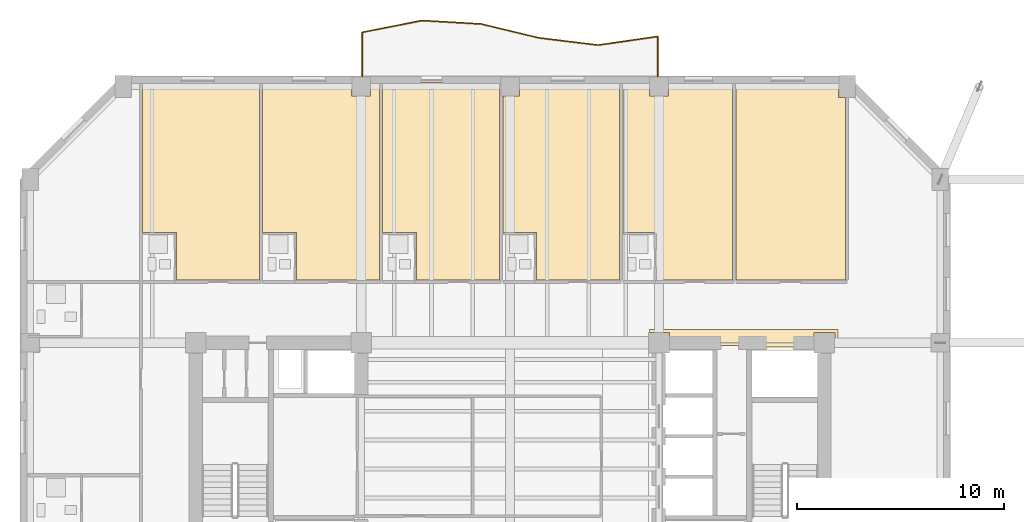
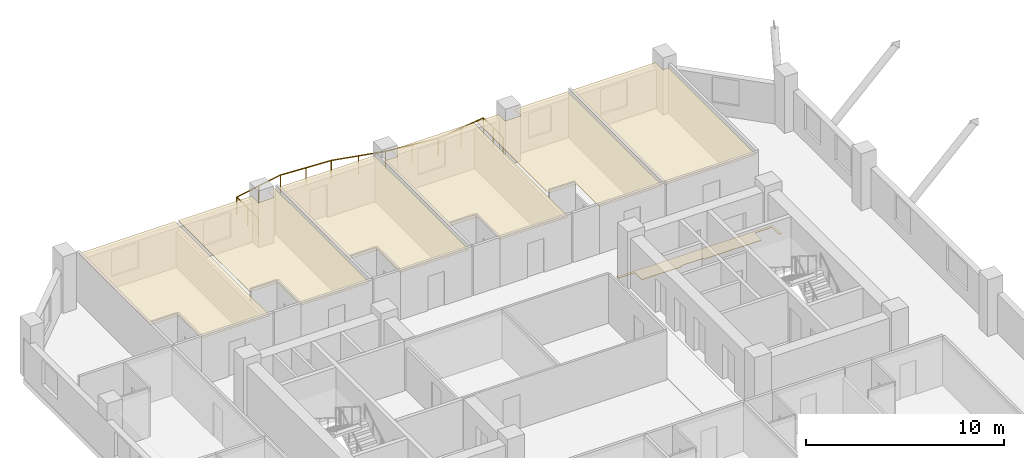
# One storey, part 13 of 14: 7 coverings, 1 railing.
"""IFC4 building model written with IfcOpenShell, lengths in metres."""

from ifc_helpers import new_model, si_unit, direction, frame, origin, origin_2d, place, context, subcontext, project, spatial, polyline, circle, outline, extrude, material, layer, layer_set, type_object, element, save


model = new_model("IFC4")

# Units and contexts
model_context = context("Model", 3, precision=1e-05, world=origin(), true_north=direction((0.0, 1.0)))
body_context = subcontext(model_context, "Body", "Model", "MODEL_VIEW")
ifc_project = project(units=[si_unit("LENGTHUNIT", "METRE"), si_unit("AREAUNIT", "SQUARE_METRE"), si_unit("VOLUMEUNIT", "CUBIC_METRE"), si_unit("PLANEANGLEUNIT", "RADIAN"), si_unit("MASSUNIT", "GRAM", prefix="KILO")], contexts=[model_context])

# Site, building, storey
site_placement = place(None, origin())
site = spatial("IfcSite", under=ifc_project, at=site_placement, CompositionType="ELEMENT")
building_placement = place(site_placement, origin())
building = spatial("IfcBuilding", under=site, at=building_placement, Name="Kranthara Brick Stack", CompositionType="ELEMENT")
storey_placement = place(building_placement, frame((0.0, 0.0, 137.800048828125)))
storey = spatial("IfcBuildingStorey", under=building, at=storey_placement, Name="L34", CompositionType="ELEMENT", Elevation=137.800048828125)

# Coverings
ifc_material_1 = material(Name="Perforated mineral-fibre acoustic ceiling tile", Category="other")
ifc_layer_1 = layer(ifc_material_1, 0.02490234375)
ifc_layer_set_1 = layer_set([ifc_layer_1], Name="Perforated mineral-fibre acoustic ceiling tile")
covering_type_1 = type_object("IfcCoveringType", Name="COV-CEIL-ACOUSTIC", PredefinedType="CEILING", material=ifc_layer_set_1)
covering_1_placement = place(storey_placement, frame((0.0, 0.0, 2.780029296875)))
element("IfcCovering", 1, at=covering_1_placement, inside=storey, type_object=covering_type_1, Name="L34 Room L34-07 Hotel Guest Room Acoustic Ceiling", PredefinedType="CEILING", context=body_context, shape_type="SweptSolid", body=[
    extrude(outline(polyline([(11.860107421875, 36.6298828125), (15.8759765625, 36.6298828125), (15.8759765625, 46.199951171875), (10.22998046875, 46.199951171875), (10.22998046875, 38.93994140625), (11.860107421875, 38.93994140625), (11.860107421875, 36.6298828125)])), origin(), (0.0, 0.0, 1.0), 0.02490234375),
])
covering_2_placement = place(storey_placement, frame((0.0, 0.0, 2.780029296875)))
element("IfcCovering", 2, at=covering_2_placement, inside=storey, type_object=covering_type_1, Name="L34 Room L34-08 Hotel Guest Room Acoustic Ceiling", PredefinedType="CEILING", context=body_context, shape_type="SweptSolid", body=[
    extrude(outline(polyline([(21.680908203125, 46.199951171875), (21.680908203125, 36.6298828125), (17.666015625, 36.6298828125), (17.666015625, 38.93994140625), (16.035888671875, 38.93994140625), (16.035888671875, 46.199951171875), (20.340087890625, 46.199951171875), (20.340087890625, 45.5400390625), (21.260009765625, 45.5400390625), (21.260009765625, 46.199951171875), (21.680908203125, 46.199951171875)])), origin(), (0.0, 0.0, 1.0), 0.02490234375),
])
covering_3_placement = place(storey_placement, frame((0.0, 0.0, 2.780029296875)))
element("IfcCovering", 3, at=covering_3_placement, inside=storey, type_object=covering_type_1, Name="L34 Room L34-09 Hotel Guest Room Acoustic Ceiling", PredefinedType="CEILING", context=body_context, shape_type="SweptSolid", body=[
    extrude(outline(polyline([(23.470947265625, 36.6298828125), (27.486083984375, 36.6298828125), (27.486083984375, 46.199951171875), (21.841064453125, 46.199951171875), (21.841064453125, 38.93994140625), (23.470947265625, 38.93994140625), (23.470947265625, 36.6298828125)])), origin(), (0.0, 0.0, 1.0), 0.02490234375),
])
covering_4_placement = place(storey_placement, frame((0.0, 0.0, 2.780029296875)))
element("IfcCovering", 4, at=covering_4_placement, inside=storey, type_object=covering_type_1, Name="L34 Room L34-10 Hotel Guest Room Acoustic Ceiling", PredefinedType="CEILING", context=body_context, shape_type="SweptSolid", body=[
    extrude(outline(polyline([(33.2919921875, 46.199951171875), (33.2919921875, 36.6298828125), (29.27587890625, 36.6298828125), (29.27587890625, 38.93994140625), (27.64599609375, 38.93994140625), (27.64599609375, 45.5400390625), (28.4599609375, 45.5400390625), (28.4599609375, 46.199951171875), (33.2919921875, 46.199951171875)])), origin(), (0.0, 0.0, 1.0), 0.02490234375),
])
covering_5_placement = place(storey_placement, frame((0.0, 0.0, 2.780029296875)))
element("IfcCovering", 5, at=covering_5_placement, inside=storey, type_object=covering_type_1, Name="L34 Room L34-11 Hotel Guest Room Acoustic Ceiling", PredefinedType="CEILING", context=body_context, shape_type="SweptSolid", body=[
    extrude(outline(polyline([(38.756103515625, 46.199951171875), (38.756103515625, 36.6298828125), (35.08203125, 36.6298828125), (35.08203125, 38.93994140625), (33.451904296875, 38.93994140625), (33.451904296875, 46.199951171875), (34.739990234375, 46.199951171875), (34.739990234375, 45.5400390625), (35.659912109375, 45.5400390625), (35.659912109375, 46.199951171875), (38.756103515625, 46.199951171875)])), origin(), (0.0, 0.0, 1.0), 0.02490234375),
])
covering_6_placement = place(storey_placement, frame((0.0, 0.0, 2.780029296875)))
element("IfcCovering", 6, at=covering_6_placement, inside=storey, type_object=covering_type_1, Name="L34 L34 Guest Sky Lounge 12 Acoustic Ceiling", PredefinedType="CEILING", context=body_context, shape_type="SweptSolid", body=[
    extrude(outline(polyline([(44.219970703125, 36.6298828125), (38.916015625, 36.6298828125), (38.916015625, 46.199951171875), (43.889892578125, 46.199951171875), (43.889892578125, 45.465087890625), (44.219970703125, 45.465087890625), (44.219970703125, 36.6298828125)])), origin(), (0.0, 0.0, 1.0), 0.02490234375),
])
ifc_material_2 = material(Name="Honed terrazzo and porcelain floor finish", Category="stone")
ifc_layer_2 = layer(ifc_material_2, 0.030029296875)
ifc_layer_set_2 = layer_set([ifc_layer_2], Name="Honed terrazzo and porcelain floor finish")
covering_type_2 = type_object("IfcCoveringType", Name="COV-FLOR-STONE", PredefinedType="FLOORING", material=ifc_layer_set_2)
covering_7_placement = place(storey_placement, origin())
element("IfcCovering", 7, at=covering_7_placement, inside=storey, type_object=covering_type_2, Name="L34 Lift Lobby Stone Flooring", PredefinedType="FLOORING", context=body_context, shape_type="SweptSolid", body=[
    extrude(outline(polyline([(43.7099609375, 33.39990234375), (43.7099609375, 34.110107421875), (42.68994140625, 34.110107421875), (42.68994140625, 33.39990234375), (39.35009765625, 33.39990234375), (39.35009765625, 33.47998046875), (38.050048828125, 33.47998046875), (38.050048828125, 33.39990234375), (35.7099609375, 33.39990234375), (35.7099609375, 34.110107421875), (34.75, 34.110107421875), (34.75, 34.25), (43.85009765625, 34.25), (43.85009765625, 33.39990234375), (43.7099609375, 33.39990234375)])), origin(), (0.0, 0.0, 1.0), 0.030029296875),
])

# Railing
ifc_material_3 = material(Name="Bronze anodised aluminium and laminated glass balustrade", Category="aluminium")
railing_type = type_object("IfcRailingType", Name="RL-BALC-1120", PredefinedType="BALUSTRADE", material=ifc_material_3)
railing_placement = place(storey_placement, frame((20.860107421875, 46.43994140625, 0.0)))
element("IfcRailing", 8, at=railing_placement, inside=storey, type_object=railing_type, Name="L34 North Rippling Balcony Balustrade", PredefinedType="BALUSTRADE", context=body_context, shape_type="SweptSolid", body=[
    extrude(circle(Radius=0.02392578125, at=origin_2d()), frame((0.0, 0.0, 1.09619140625), z_axis=(-0.000111957008, 0.999999993733, 0.0), x_axis=(-0.999999993733, -0.000111957008, 0.0)), (0.0, 0.0, 1.0), 2.1806640625),
    extrude(circle(Radius=0.02392578125, at=origin_2d()), frame((-0.000244140625, 2.1806640625, 1.09619140625), z_axis=(0.980975520932, 0.194131469195, 0.0), x_axis=(-0.194131469195, 0.980975520932, 0.0)), (0.0, 0.0, 1.0), 2.93408203125),
    extrude(circle(Radius=0.02392578125, at=origin_2d()), frame((2.8779296875, 2.750244140625, 1.09619140625), z_axis=(0.998293635427, -0.058393642338, 0.0), x_axis=(0.058393642338, 0.998293635427, 0.0)), (0.0, 0.0, 1.0), 2.87646484375),
    extrude(circle(Radius=0.02392578125, at=origin_2d()), frame((5.74951171875, 2.582275390625, 1.09619140625), z_axis=(0.972065368822, -0.234710286816, 0.0), x_axis=(0.234710286816, 0.972065368822, 0.0)), (0.0, 0.0, 1.0), 2.85107421875),
    extrude(circle(Radius=0.02392578125, at=origin_2d()), frame((8.52099609375, 1.9130859375, 1.09619140625), z_axis=(0.992646370975, -0.121050329161, 0.0), x_axis=(0.121050329161, 0.992646370975, 0.0)), (0.0, 0.0, 1.0), 2.900146484375),
    extrude(circle(Radius=0.02392578125, at=origin_2d()), frame((11.39990234375, 1.56201171875, 1.09619140625), z_axis=(0.989669053746, 0.143370722459, 0.0), x_axis=(-0.143370722459, 0.989669053746, 0.0)), (0.0, 0.0, 1.0), 2.91015625),
    extrude(circle(Radius=0.02392578125, at=origin_2d()), frame((14.280029296875, 1.979248046875, 1.09619140625), z_axis=(-0.00012335019, -0.999999992392, 0.0), x_axis=(0.999999992392, -0.00012335019, 0.0)), (0.0, 0.0, 1.0), 1.979248046875),
    extrude(circle(Radius=0.02099609375, at=origin_2d()), origin(), (0.0, 0.0, 1.0), 1.072021484375),
    extrude(circle(Radius=0.02099609375, at=origin_2d()), frame((0.0, 1.09033203125, 0.0)), (0.0, 0.0, 1.0), 1.072021484375),
    extrude(circle(Radius=0.02099609375, at=origin_2d()), frame((-0.000244140625, 2.1806640625, 0.0)), (0.0, 0.0, 1.0), 1.072021484375),
    extrude(circle(Radius=0.02099609375, at=origin_2d()), frame((1.43896484375, 2.46533203125, 0.0)), (0.0, 0.0, 1.0), 1.072021484375),
    extrude(circle(Radius=0.02099609375, at=origin_2d()), frame((2.8779296875, 2.750244140625, 0.0)), (0.0, 0.0, 1.0), 1.072021484375),
    extrude(circle(Radius=0.02099609375, at=origin_2d()), frame((4.313720703125, 2.666259765625, 0.0)), (0.0, 0.0, 1.0), 1.072021484375),
    extrude(circle(Radius=0.02099609375, at=origin_2d()), frame((5.74951171875, 2.582275390625, 0.0)), (0.0, 0.0, 1.0), 1.072021484375),
    extrude(circle(Radius=0.02099609375, at=origin_2d()), frame((7.13525390625, 2.24755859375, 0.0)), (0.0, 0.0, 1.0), 1.072021484375),
    extrude(circle(Radius=0.02099609375, at=origin_2d()), frame((8.52099609375, 1.9130859375, 0.0)), (0.0, 0.0, 1.0), 1.072021484375),
    extrude(circle(Radius=0.02099609375, at=origin_2d()), frame((9.96044921875, 1.737548828125, 0.0)), (0.0, 0.0, 1.0), 1.072021484375),
    extrude(circle(Radius=0.02099609375, at=origin_2d()), frame((11.39990234375, 1.56201171875, 0.0)), (0.0, 0.0, 1.0), 1.072021484375),
    extrude(circle(Radius=0.02099609375, at=origin_2d()), frame((12.83984375, 1.7705078125, 0.0)), (0.0, 0.0, 1.0), 1.072021484375),
    extrude(circle(Radius=0.02099609375, at=origin_2d()), frame((14.280029296875, 1.979248046875, 0.0)), (0.0, 0.0, 1.0), 1.072021484375),
    extrude(circle(Radius=0.02099609375, at=origin_2d()), frame((14.27978515625, 0.98974609375, 0.0)), (0.0, 0.0, 1.0), 1.072021484375),
    extrude(circle(Radius=0.02099609375, at=origin_2d()), frame((14.27978515625, 0.0, 0.0)), (0.0, 0.0, 1.0), 1.072021484375),
])

save(model, "model.ifc")
